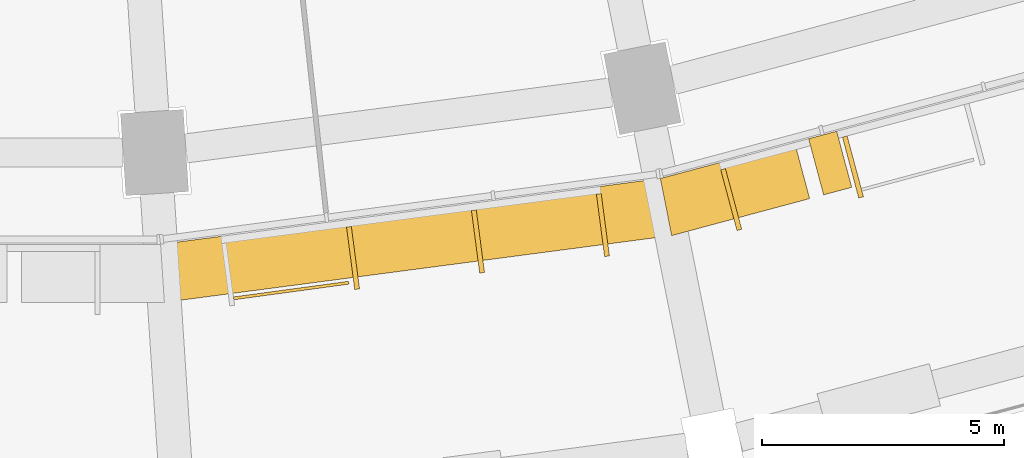
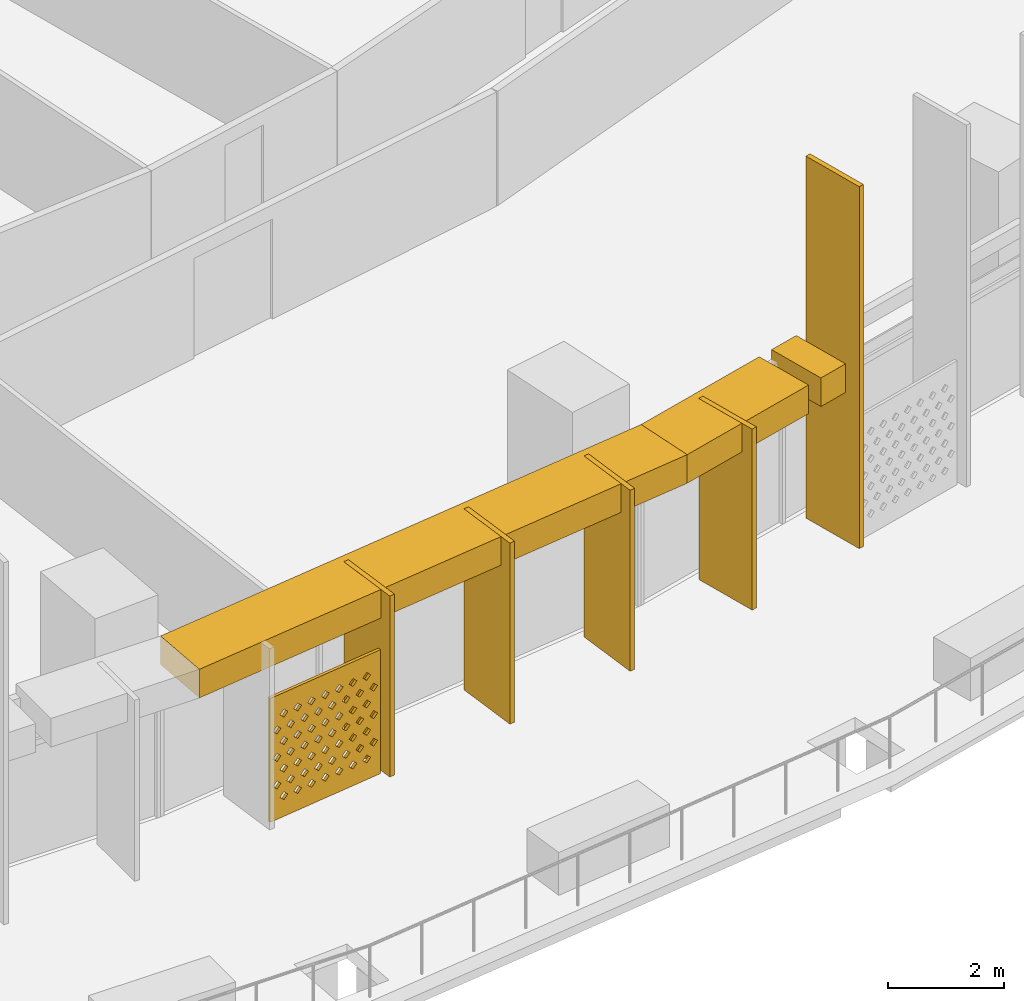
# One storey, part 30 of 35: 9 shading devices.
"""IFC4 building model written with IfcOpenShell, lengths in metres."""

import ifcopenshell
import ifcopenshell.guid

model = None  # the IFC model being written
_history = None  # IfcOwnerHistory: only IFC2X3 demands one
_inside = {}  # id of a spatial element -> (the spatial element, [elements in it])
_under = {}  # id of a project, library or spatial element -> (it, [spatial elements below it])
_declared = {}  # id of a project -> (the project, [libraries it declares])
_typed = {}  # id of a type object -> (the type object, [elements of that type])
_made_of = {}  # id of a material, layer set ... -> (it, [elements and type objects made of it])


def new_model(schema):
    """Start an empty IFC model of exactly this schema.

    Asked for "IFC4X3", IfcOpenShell would pick the latest addendum, in which some entities
    have other attributes; the version numbers below select the first issue.
    IFC2X3 requires an IfcOwnerHistory on every rooted entity: one is made here for all.
    """
    global model, _history
    if schema == "IFC4X3":
        model = ifcopenshell.file(schema_version=(4, 3, 0, 0))
    else:
        model = ifcopenshell.file(schema=schema)
    _inside.clear()
    _under.clear()
    _declared.clear()
    _typed.clear()
    _made_of.clear()
    _history = None
    if model.schema == "IFC2X3":
        org = make("IfcOrganization", Name="unknown")
        user = make(
            "IfcPersonAndOrganization",
            ThePerson=make("IfcPerson", FamilyName="unknown"),
            TheOrganization=org,
        )
        app = make(
            "IfcApplication",
            ApplicationDeveloper=org,
            Version="unknown",
            ApplicationFullName="unknown",
            ApplicationIdentifier="unknown",
        )
        _history = make(
            "IfcOwnerHistory",
            OwningUser=user,
            OwningApplication=app,
            ChangeAction="ADDED",
            CreationDate=0,
        )
    return model


def make(cls, **values):
    """One entity of the class cls with the attributes given. An attribute that is None is left unset."""
    return model.create_entity(
        cls, **{name: value for name, value in values.items() if value is not None}
    )


def rooted(cls, **values):
    """An entity with a GlobalId (a new one), such as an element, a storey or a relation."""
    return make(cls, GlobalId=ifcopenshell.guid.new(), OwnerHistory=_history, **values)


def si_unit(unit_type, name, prefix=None):
    """IfcSIUnit, for example si_unit("LENGTHUNIT", "METRE", prefix="MILLI")."""
    return make("IfcSIUnit", UnitType=unit_type, Prefix=prefix, Name=name)


def assignment(units):
    """IfcUnitAssignment: the units of a project."""
    return None if units is None else make("IfcUnitAssignment", Units=units)


def point(xyz):
    """IfcCartesianPoint."""
    return None if xyz is None else make("IfcCartesianPoint", Coordinates=xyz)


def direction(xyz):
    """IfcDirection."""
    return None if xyz is None else make("IfcDirection", DirectionRatios=xyz)


def frame(location, z_axis=None, x_axis=None):
    """IfcAxis2Placement3D, a coordinate frame: its origin and axes. An axis left out is left unset."""
    return make(
        "IfcAxis2Placement3D",
        Location=point(location),
        Axis=direction(z_axis),
        RefDirection=direction(x_axis),
    )


def frame_2d(location, x_axis=None):
    """IfcAxis2Placement2D, a coordinate frame in the plane: its origin and x axis."""
    return make(
        "IfcAxis2Placement2D", Location=point(location), RefDirection=direction(x_axis)
    )


def origin():
    """The frame at (0, 0, 0) with its axes left unset."""
    return frame((0.0, 0.0, 0.0))


def origin_2d():
    """The frame at (0, 0) in the plane with its x axis left unset."""
    return frame_2d((0.0, 0.0))


def place(relative_to, where):
    """IfcLocalPlacement: puts the frame where relative to a parent placement (None: the world)."""
    return make(
        "IfcLocalPlacement", PlacementRelTo=relative_to, RelativePlacement=where
    )


def context(
    kind, dimensions, precision=None, world=None, true_north=None, identifier=None
):
    """IfcGeometricRepresentationContext, for example the 3D "Model" context."""
    return make(
        "IfcGeometricRepresentationContext",
        ContextIdentifier=identifier,
        ContextType=kind,
        CoordinateSpaceDimension=dimensions,
        Precision=precision,
        WorldCoordinateSystem=world,
        TrueNorth=true_north,
    )


def subcontext(parent, identifier, kind, view, scale=None):
    """IfcGeometricRepresentationSubContext, for example "Body" below "Model"."""
    return make(
        "IfcGeometricRepresentationSubContext",
        ContextIdentifier=identifier,
        ContextType=kind,
        ParentContext=parent,
        TargetScale=scale,
        TargetView=view,
    )


def project(units=None, contexts=None):
    """IfcProject with its units and contexts."""
    return rooted(
        "IfcProject",
        Name="project",
        RepresentationContexts=contexts,
        UnitsInContext=assignment(units),
    )


def spatial(cls, under=None, at=None, **own):
    """A site, building, storey or space (cls), placed at a placement, below another one or the project."""
    s = rooted(cls, ObjectPlacement=at, **own)
    if under is not None:
        _under.setdefault(under.id(), (under, []))[1].append(s)
    return s


def polyline(points):
    """IfcPolyline through the points."""
    return make("IfcPolyline", Points=[point(p) for p in points])


def profile(cls, at=None, kind="AREA", **sizes):
    """A parametric profile (cls). Its sizes go by their IFC names, for example OverallWidth=200.0."""
    return make(cls, ProfileType=kind, Position=at, **sizes)


def rectangle(**sizes):
    """IfcRectangleProfileDef."""
    return profile("IfcRectangleProfileDef", **sizes)


def outline(outer, holes=None, kind="AREA"):
    """IfcArbitraryClosedProfileDef: a profile drawn as a closed curve; with holes, ...WithVoids."""
    if holes is None:
        return make("IfcArbitraryClosedProfileDef", ProfileType=kind, OuterCurve=outer)
    return make(
        "IfcArbitraryProfileDefWithVoids",
        ProfileType=kind,
        OuterCurve=outer,
        InnerCurves=holes,
    )


def extrude(swept, where, along, depth):
    """IfcExtrudedAreaSolid: the profile swept, set in the frame where, extruded along a direction by depth."""
    return make(
        "IfcExtrudedAreaSolid",
        SweptArea=swept,
        Position=where,
        ExtrudedDirection=direction(along),
        Depth=depth,
    )


def shape(context_of_items, identifier, shape_type, items):
    """IfcShapeRepresentation: the items that make up one representation, for example the "Body"."""
    return make(
        "IfcShapeRepresentation",
        ContextOfItems=context_of_items,
        RepresentationIdentifier=identifier,
        RepresentationType=shape_type,
        Items=items,
    )


def material(Name=None, Category=None):
    """IfcMaterial."""
    return make("IfcMaterial", Name=Name, Category=Category)


def material_profile(
    of_material, cross_section, Name=None, Category=None, Priority=None
):
    """IfcMaterialProfile: a cross section and its material."""
    return make(
        "IfcMaterialProfile",
        Name=Name,
        Material=of_material,
        Profile=cross_section,
        Priority=Priority,
        Category=Category,
    )


def profile_set(profiles, Name=None, composite=None):
    """IfcMaterialProfileSet."""
    return make(
        "IfcMaterialProfileSet",
        Name=Name,
        MaterialProfiles=profiles,
        CompositeProfile=composite,
    )


def made_of(thing, what):
    """Note that an element or type object is made of a material, layer set ...; save() writes the relation."""
    if what is not None:
        _made_of.setdefault(what.id(), (what, []))[1].append(thing)
    return thing


def type_object(cls, material=None, **own):
    """A type object (cls), such as IfcWallType, which elements share."""
    return made_of(rooted(cls, **own), material)


def element(
    cls,
    number,
    at=None,
    inside=None,
    cuts=None,
    type_object=None,
    material=None,
    context=None,
    identifier="Body",
    shape_type=None,
    held_by="IfcProductDefinitionShape",
    body=None,
    shapes=None,
    **own,
):
    """One element of the class cls, such as IfcWall. Its Tag is "e" and its number.

    at: its placement. inside: the storey or other place that contains it. cuts: it is an
    opening in that element (IfcRelVoidsElement). A single representation is given by context,
    identifier, shape_type and body (its items); several are given by shapes. held_by: the class
    of the entity that holds the representations. save() writes the other relations.
    """
    e = rooted(cls, Tag="e%d" % number, ObjectPlacement=at, **own)
    if body is not None:
        shapes = [shape(context, identifier, shape_type, body)]
    if shapes is not None:
        e.Representation = make(held_by, Representations=shapes)
    if inside is not None:
        _inside.setdefault(inside.id(), (inside, []))[1].append(e)
    if cuts is not None:
        rooted(
            "IfcRelVoidsElement", RelatingBuildingElement=cuts, RelatedOpeningElement=e
        )
    if type_object is not None:
        _typed.setdefault(type_object.id(), (type_object, []))[1].append(e)
    return made_of(e, material)


def aggregate(whole, parts):
    """IfcRelAggregates: a whole, such as a stair, and the parts it consists of."""
    return rooted("IfcRelAggregates", RelatingObject=whole, RelatedObjects=parts)


def save(model, path):
    """Write the relations noted so far, then the file.

    IfcRelAggregates (storeys below a building ...), IfcRelContainedInSpatialStructure (elements
    in a storey), IfcRelDefinesByType, IfcRelAssociatesMaterial and IfcRelDeclares: one each for
    every whole, place, type object, material and project.
    """
    for whole, parts in _under.values():
        aggregate(whole, parts)
    for where, things in _inside.values():
        rooted(
            "IfcRelContainedInSpatialStructure",
            RelatedElements=things,
            RelatingStructure=where,
        )
    for kind, things in _typed.values():
        rooted("IfcRelDefinesByType", RelatedObjects=things, RelatingType=kind)
    for what, things in _made_of.values():
        rooted("IfcRelAssociatesMaterial", RelatedObjects=things, RelatingMaterial=what)
    for by, libraries in _declared.values():
        rooted("IfcRelDeclares", RelatingContext=by, RelatedDefinitions=libraries)
    model.write(path)


model = new_model("IFC4")

# Units and contexts
model_context = context("Model", 3, precision=1e-05, world=origin(), true_north=direction((0.0, 1.0)))
body_context = subcontext(model_context, "Body", "Model", "MODEL_VIEW")
ifc_project = project(units=[si_unit("LENGTHUNIT", "METRE"), si_unit("AREAUNIT", "SQUARE_METRE"), si_unit("VOLUMEUNIT", "CUBIC_METRE"), si_unit("PLANEANGLEUNIT", "RADIAN"), si_unit("MASSUNIT", "GRAM", prefix="KILO")], contexts=[model_context])

# Site, building, storey
site_placement = place(None, origin())
site = spatial("IfcSite", under=ifc_project, at=site_placement, CompositionType="ELEMENT")
building_placement = place(site_placement, origin())
building = spatial("IfcBuilding", under=site, at=building_placement, Name="Qamariyya Broadcast Tower", CompositionType="ELEMENT")
storey_placement = place(building_placement, frame((0.0, 0.0, 40.5)))
storey = spatial("IfcBuildingStorey", under=building, at=storey_placement, Name="L06", CompositionType="ELEMENT", Elevation=40.5)

# Shading devices
ifc_material_1 = material(Name="Steel S355 powder coated deep red", Category="steel")
shading_device_type_1 = type_object("IfcShadingDeviceType", Name="Deep red frame, powder coated steel box section", PredefinedType="USERDEFINED", material=ifc_material_1)
shading_device_1_placement = place(storey_placement, frame((0.0, 0.0, 3.199951171875)))
element("IfcShadingDevice", 1, at=shading_device_1_placement, inside=storey, type_object=shading_device_type_1, Name="e-frm-B1-F4-postb-L06", ObjectType="FRAME", PredefinedType="USERDEFINED", context=body_context, shape_type="SweptSolid", body=[
    extrude(outline(polyline([(18.603759765625, -77.29833984375), (18.914306640625, -78.45751953125), (19.493896484375, -78.30224609375), (19.183349609375, -77.14306640625), (18.603759765625, -77.29833984375)])), origin(), (0.0, 0.0, 1.0), 0.60009765625),
])
shading_device_2_placement = place(storey_placement, frame((0.0, 0.0, 3.199951171875)))
element("IfcShadingDevice", 2, at=shading_device_2_placement, inside=storey, type_object=shading_device_type_1, Name="e-frm-B1-F4-bot1", ObjectType="FRAME", PredefinedType="USERDEFINED", context=body_context, shape_type="SweptSolid", body=[
    extrude(outline(polyline([(5.20947265625, -79.4794921875), (5.2880859375, -80.679443359375), (15.7734375, -79.299072265625), (15.5390625, -78.11962890625), (5.20947265625, -79.4794921875)])), origin(), (0.0, 0.0, 1.0), 0.60009765625),
])
shading_device_3_placement = place(storey_placement, frame((0.0, 0.0, 3.199951171875)))
element("IfcShadingDevice", 3, at=shading_device_3_placement, inside=storey, type_object=shading_device_type_1, Name="e-frm-B1-F4-bot2", ObjectType="FRAME", PredefinedType="USERDEFINED", context=body_context, shape_type="SweptSolid", body=[
    extrude(outline(polyline([(15.5390625, -78.11962890625), (15.7734375, -79.299072265625), (18.62451171875, -78.53515625), (18.31396484375, -77.3759765625), (15.5390625, -78.11962890625)])), origin(), (0.0, 0.0, 1.0), 0.60009765625),
])
ifc_material_2 = material(Name="Perforated glazed terracotta", Category="masonry")
ifc_material_profile_1 = material_profile(ifc_material_2, outline(polyline([(-1.199951171875, -1.300048828125), (1.199951171875, -1.300048828125), (1.199951171875, 1.300048828125), (-1.199951171875, 1.300048828125), (-1.199951171875, -1.300048828125)]), holes=[polyline([(-0.81494140625, -0.86669921875), (-0.89990234375, -0.78173828125), (-0.985107421875, -0.86669921875), (-0.89990234375, -0.95166015625), (-0.81494140625, -0.86669921875)]), polyline([(-0.514892578125, -0.86669921875), (-0.60009765625, -0.78173828125), (-0.68505859375, -0.86669921875), (-0.60009765625, -0.95166015625), (-0.514892578125, -0.86669921875)]), polyline([(-0.215087890625, -0.86669921875), (-0.300048828125, -0.78173828125), (-0.385009765625, -0.86669921875), (-0.300048828125, -0.95166015625), (-0.215087890625, -0.86669921875)]), polyline([(0.0849609375, -0.86669921875), (0.0, -0.78173828125), (-0.0849609375, -0.86669921875), (0.0, -0.95166015625), (0.0849609375, -0.86669921875)]), polyline([(0.385009765625, -0.86669921875), (0.300048828125, -0.78173828125), (0.215087890625, -0.86669921875), (0.300048828125, -0.95166015625), (0.385009765625, -0.86669921875)]), polyline([(0.68505859375, -0.86669921875), (0.60009765625, -0.78173828125), (0.514892578125, -0.86669921875), (0.60009765625, -0.95166015625), (0.68505859375, -0.86669921875)]), polyline([(0.985107421875, -0.86669921875), (0.89990234375, -0.78173828125), (0.81494140625, -0.86669921875), (0.89990234375, -0.95166015625), (0.985107421875, -0.86669921875)]), polyline([(-0.965087890625, -0.577880859375), (-1.050048828125, -0.49267578125), (-1.135009765625, -0.577880859375), (-1.050048828125, -0.662841796875), (-0.965087890625, -0.577880859375)]), polyline([(-0.6650390625, -0.577880859375), (-0.75, -0.49267578125), (-0.8349609375, -0.577880859375), (-0.75, -0.662841796875), (-0.6650390625, -0.577880859375)]), polyline([(-0.364990234375, -0.577880859375), (-0.449951171875, -0.49267578125), (-0.534912109375, -0.577880859375), (-0.449951171875, -0.662841796875), (-0.364990234375, -0.577880859375)]), polyline([(-0.06494140625, -0.577880859375), (-0.14990234375, -0.49267578125), (-0.235107421875, -0.577880859375), (-0.14990234375, -0.662841796875), (-0.06494140625, -0.577880859375)]), polyline([(0.235107421875, -0.577880859375), (0.14990234375, -0.49267578125), (0.06494140625, -0.577880859375), (0.14990234375, -0.662841796875), (0.235107421875, -0.577880859375)]), polyline([(0.534912109375, -0.577880859375), (0.449951171875, -0.49267578125), (0.364990234375, -0.577880859375), (0.449951171875, -0.662841796875), (0.534912109375, -0.577880859375)]), polyline([(0.8349609375, -0.577880859375), (0.75, -0.49267578125), (0.6650390625, -0.577880859375), (0.75, -0.662841796875), (0.8349609375, -0.577880859375)]), polyline([(1.135009765625, -0.577880859375), (1.050048828125, -0.49267578125), (0.965087890625, -0.577880859375), (1.050048828125, -0.662841796875), (1.135009765625, -0.577880859375)]), polyline([(-0.81494140625, -0.288818359375), (-0.89990234375, -0.203857421875), (-0.985107421875, -0.288818359375), (-0.89990234375, -0.373779296875), (-0.81494140625, -0.288818359375)]), polyline([(-0.514892578125, -0.288818359375), (-0.60009765625, -0.203857421875), (-0.68505859375, -0.288818359375), (-0.60009765625, -0.373779296875), (-0.514892578125, -0.288818359375)]), polyline([(-0.215087890625, -0.288818359375), (-0.300048828125, -0.203857421875), (-0.385009765625, -0.288818359375), (-0.300048828125, -0.373779296875), (-0.215087890625, -0.288818359375)]), polyline([(0.0849609375, -0.288818359375), (0.0, -0.203857421875), (-0.0849609375, -0.288818359375), (0.0, -0.373779296875), (0.0849609375, -0.288818359375)]), polyline([(0.385009765625, -0.288818359375), (0.300048828125, -0.203857421875), (0.215087890625, -0.288818359375), (0.300048828125, -0.373779296875), (0.385009765625, -0.288818359375)]), polyline([(0.68505859375, -0.288818359375), (0.60009765625, -0.203857421875), (0.514892578125, -0.288818359375), (0.60009765625, -0.373779296875), (0.68505859375, -0.288818359375)]), polyline([(0.985107421875, -0.288818359375), (0.89990234375, -0.203857421875), (0.81494140625, -0.288818359375), (0.89990234375, -0.373779296875), (0.985107421875, -0.288818359375)]), polyline([(-0.965087890625, 0.0), (-1.050048828125, 0.0849609375), (-1.135009765625, 0.0), (-1.050048828125, -0.0849609375), (-0.965087890625, 0.0)]), polyline([(-0.6650390625, 0.0), (-0.75, 0.0849609375), (-0.8349609375, 0.0), (-0.75, -0.0849609375), (-0.6650390625, 0.0)]), polyline([(-0.364990234375, 0.0), (-0.449951171875, 0.0849609375), (-0.534912109375, 0.0), (-0.449951171875, -0.0849609375), (-0.364990234375, 0.0)]), polyline([(-0.06494140625, 0.0), (-0.14990234375, 0.0849609375), (-0.235107421875, 0.0), (-0.14990234375, -0.0849609375), (-0.06494140625, 0.0)]), polyline([(0.235107421875, 0.0), (0.14990234375, 0.0849609375), (0.06494140625, 0.0), (0.14990234375, -0.0849609375), (0.235107421875, 0.0)]), polyline([(0.534912109375, 0.0), (0.449951171875, 0.0849609375), (0.364990234375, 0.0), (0.449951171875, -0.0849609375), (0.534912109375, 0.0)]), polyline([(0.8349609375, 0.0), (0.75, 0.0849609375), (0.6650390625, 0.0), (0.75, -0.0849609375), (0.8349609375, 0.0)]), polyline([(1.135009765625, 0.0), (1.050048828125, 0.0849609375), (0.965087890625, 0.0), (1.050048828125, -0.0849609375), (1.135009765625, 0.0)]), polyline([(-0.81494140625, 0.288818359375), (-0.89990234375, 0.373779296875), (-0.985107421875, 0.288818359375), (-0.89990234375, 0.203857421875), (-0.81494140625, 0.288818359375)]), polyline([(-0.514892578125, 0.288818359375), (-0.60009765625, 0.373779296875), (-0.68505859375, 0.288818359375), (-0.60009765625, 0.203857421875), (-0.514892578125, 0.288818359375)]), polyline([(-0.215087890625, 0.288818359375), (-0.300048828125, 0.373779296875), (-0.385009765625, 0.288818359375), (-0.300048828125, 0.203857421875), (-0.215087890625, 0.288818359375)]), polyline([(0.0849609375, 0.288818359375), (0.0, 0.373779296875), (-0.0849609375, 0.288818359375), (0.0, 0.203857421875), (0.0849609375, 0.288818359375)]), polyline([(0.385009765625, 0.288818359375), (0.300048828125, 0.373779296875), (0.215087890625, 0.288818359375), (0.300048828125, 0.203857421875), (0.385009765625, 0.288818359375)]), polyline([(0.68505859375, 0.288818359375), (0.60009765625, 0.373779296875), (0.514892578125, 0.288818359375), (0.60009765625, 0.203857421875), (0.68505859375, 0.288818359375)]), polyline([(0.985107421875, 0.288818359375), (0.89990234375, 0.373779296875), (0.81494140625, 0.288818359375), (0.89990234375, 0.203857421875), (0.985107421875, 0.288818359375)]), polyline([(-0.965087890625, 0.577880859375), (-1.050048828125, 0.662841796875), (-1.135009765625, 0.577880859375), (-1.050048828125, 0.49267578125), (-0.965087890625, 0.577880859375)]), polyline([(-0.6650390625, 0.577880859375), (-0.75, 0.662841796875), (-0.8349609375, 0.577880859375), (-0.75, 0.49267578125), (-0.6650390625, 0.577880859375)]), polyline([(-0.364990234375, 0.577880859375), (-0.449951171875, 0.662841796875), (-0.534912109375, 0.577880859375), (-0.449951171875, 0.49267578125), (-0.364990234375, 0.577880859375)]), polyline([(-0.06494140625, 0.577880859375), (-0.14990234375, 0.662841796875), (-0.235107421875, 0.577880859375), (-0.14990234375, 0.49267578125), (-0.06494140625, 0.577880859375)]), polyline([(0.235107421875, 0.577880859375), (0.14990234375, 0.662841796875), (0.06494140625, 0.577880859375), (0.14990234375, 0.49267578125), (0.235107421875, 0.577880859375)]), polyline([(0.534912109375, 0.577880859375), (0.449951171875, 0.662841796875), (0.364990234375, 0.577880859375), (0.449951171875, 0.49267578125), (0.534912109375, 0.577880859375)]), polyline([(0.8349609375, 0.577880859375), (0.75, 0.662841796875), (0.6650390625, 0.577880859375), (0.75, 0.49267578125), (0.8349609375, 0.577880859375)]), polyline([(1.135009765625, 0.577880859375), (1.050048828125, 0.662841796875), (0.965087890625, 0.577880859375), (1.050048828125, 0.49267578125), (1.135009765625, 0.577880859375)]), polyline([(-0.81494140625, 0.86669921875), (-0.89990234375, 0.95166015625), (-0.985107421875, 0.86669921875), (-0.89990234375, 0.78173828125), (-0.81494140625, 0.86669921875)]), polyline([(-0.514892578125, 0.86669921875), (-0.60009765625, 0.95166015625), (-0.68505859375, 0.86669921875), (-0.60009765625, 0.78173828125), (-0.514892578125, 0.86669921875)]), polyline([(-0.215087890625, 0.86669921875), (-0.300048828125, 0.95166015625), (-0.385009765625, 0.86669921875), (-0.300048828125, 0.78173828125), (-0.215087890625, 0.86669921875)]), polyline([(0.0849609375, 0.86669921875), (0.0, 0.95166015625), (-0.0849609375, 0.86669921875), (0.0, 0.78173828125), (0.0849609375, 0.86669921875)]), polyline([(0.385009765625, 0.86669921875), (0.300048828125, 0.95166015625), (0.215087890625, 0.86669921875), (0.300048828125, 0.78173828125), (0.385009765625, 0.86669921875)]), polyline([(0.68505859375, 0.86669921875), (0.60009765625, 0.95166015625), (0.514892578125, 0.86669921875), (0.60009765625, 0.78173828125), (0.68505859375, 0.86669921875)]), polyline([(0.985107421875, 0.86669921875), (0.89990234375, 0.95166015625), (0.81494140625, 0.86669921875), (0.89990234375, 0.78173828125), (0.985107421875, 0.86669921875)])]))
ifc_profile_set_1 = profile_set([ifc_material_profile_1], Name="Perforated glazed terracotta")
shading_device_type_2 = type_object("IfcShadingDeviceType", Name="Perforated terracotta screen 2400 x 2600", PredefinedType="USERDEFINED", material=ifc_profile_set_1)
shading_device_4_placement = place(storey_placement, frame((7.905517578125, -80.405517578125, 1.35009765625), z_axis=(0.13456727237, -0.990904460181, 0.0), x_axis=(0.990904460181, 0.13456727237, 0.0)))
element("IfcShadingDevice", 4, at=shading_device_4_placement, inside=storey, type_object=shading_device_type_2, Name="e-scr-L06-09-0", ObjectType="SCREEN", PredefinedType="USERDEFINED", context=body_context, shape_type="SweptSolid", body=[
    extrude(outline(polyline([(-1.199951171875, -1.300048828125), (1.199951171875, -1.300048828125), (1.199951171875, 1.300048828125), (-1.199951171875, 1.300048828125), (-1.199951171875, -1.300048828125)]), holes=[polyline([(-0.81494140625, -0.86669921875), (-0.89990234375, -0.78173828125), (-0.985107421875, -0.86669921875), (-0.89990234375, -0.95166015625), (-0.81494140625, -0.86669921875)]), polyline([(-0.514892578125, -0.86669921875), (-0.60009765625, -0.78173828125), (-0.68505859375, -0.86669921875), (-0.60009765625, -0.95166015625), (-0.514892578125, -0.86669921875)]), polyline([(-0.215087890625, -0.86669921875), (-0.300048828125, -0.78173828125), (-0.385009765625, -0.86669921875), (-0.300048828125, -0.95166015625), (-0.215087890625, -0.86669921875)]), polyline([(0.0849609375, -0.86669921875), (0.0, -0.78173828125), (-0.0849609375, -0.86669921875), (0.0, -0.95166015625), (0.0849609375, -0.86669921875)]), polyline([(0.385009765625, -0.86669921875), (0.300048828125, -0.78173828125), (0.215087890625, -0.86669921875), (0.300048828125, -0.95166015625), (0.385009765625, -0.86669921875)]), polyline([(0.68505859375, -0.86669921875), (0.60009765625, -0.78173828125), (0.514892578125, -0.86669921875), (0.60009765625, -0.95166015625), (0.68505859375, -0.86669921875)]), polyline([(0.985107421875, -0.86669921875), (0.89990234375, -0.78173828125), (0.81494140625, -0.86669921875), (0.89990234375, -0.95166015625), (0.985107421875, -0.86669921875)]), polyline([(-0.965087890625, -0.577880859375), (-1.050048828125, -0.49267578125), (-1.135009765625, -0.577880859375), (-1.050048828125, -0.662841796875), (-0.965087890625, -0.577880859375)]), polyline([(-0.6650390625, -0.577880859375), (-0.75, -0.49267578125), (-0.8349609375, -0.577880859375), (-0.75, -0.662841796875), (-0.6650390625, -0.577880859375)]), polyline([(-0.364990234375, -0.577880859375), (-0.449951171875, -0.49267578125), (-0.534912109375, -0.577880859375), (-0.449951171875, -0.662841796875), (-0.364990234375, -0.577880859375)]), polyline([(-0.06494140625, -0.577880859375), (-0.14990234375, -0.49267578125), (-0.235107421875, -0.577880859375), (-0.14990234375, -0.662841796875), (-0.06494140625, -0.577880859375)]), polyline([(0.235107421875, -0.577880859375), (0.14990234375, -0.49267578125), (0.06494140625, -0.577880859375), (0.14990234375, -0.662841796875), (0.235107421875, -0.577880859375)]), polyline([(0.534912109375, -0.577880859375), (0.449951171875, -0.49267578125), (0.364990234375, -0.577880859375), (0.449951171875, -0.662841796875), (0.534912109375, -0.577880859375)]), polyline([(0.8349609375, -0.577880859375), (0.75, -0.49267578125), (0.6650390625, -0.577880859375), (0.75, -0.662841796875), (0.8349609375, -0.577880859375)]), polyline([(1.135009765625, -0.577880859375), (1.050048828125, -0.49267578125), (0.965087890625, -0.577880859375), (1.050048828125, -0.662841796875), (1.135009765625, -0.577880859375)]), polyline([(-0.81494140625, -0.288818359375), (-0.89990234375, -0.203857421875), (-0.985107421875, -0.288818359375), (-0.89990234375, -0.373779296875), (-0.81494140625, -0.288818359375)]), polyline([(-0.514892578125, -0.288818359375), (-0.60009765625, -0.203857421875), (-0.68505859375, -0.288818359375), (-0.60009765625, -0.373779296875), (-0.514892578125, -0.288818359375)]), polyline([(-0.215087890625, -0.288818359375), (-0.300048828125, -0.203857421875), (-0.385009765625, -0.288818359375), (-0.300048828125, -0.373779296875), (-0.215087890625, -0.288818359375)]), polyline([(0.0849609375, -0.288818359375), (0.0, -0.203857421875), (-0.0849609375, -0.288818359375), (0.0, -0.373779296875), (0.0849609375, -0.288818359375)]), polyline([(0.385009765625, -0.288818359375), (0.300048828125, -0.203857421875), (0.215087890625, -0.288818359375), (0.300048828125, -0.373779296875), (0.385009765625, -0.288818359375)]), polyline([(0.68505859375, -0.288818359375), (0.60009765625, -0.203857421875), (0.514892578125, -0.288818359375), (0.60009765625, -0.373779296875), (0.68505859375, -0.288818359375)]), polyline([(0.985107421875, -0.288818359375), (0.89990234375, -0.203857421875), (0.81494140625, -0.288818359375), (0.89990234375, -0.373779296875), (0.985107421875, -0.288818359375)]), polyline([(-0.965087890625, 0.0), (-1.050048828125, 0.0849609375), (-1.135009765625, 0.0), (-1.050048828125, -0.0849609375), (-0.965087890625, 0.0)]), polyline([(-0.6650390625, 0.0), (-0.75, 0.0849609375), (-0.8349609375, 0.0), (-0.75, -0.0849609375), (-0.6650390625, 0.0)]), polyline([(-0.364990234375, 0.0), (-0.449951171875, 0.0849609375), (-0.534912109375, 0.0), (-0.449951171875, -0.0849609375), (-0.364990234375, 0.0)]), polyline([(-0.06494140625, 0.0), (-0.14990234375, 0.0849609375), (-0.235107421875, 0.0), (-0.14990234375, -0.0849609375), (-0.06494140625, 0.0)]), polyline([(0.235107421875, 0.0), (0.14990234375, 0.0849609375), (0.06494140625, 0.0), (0.14990234375, -0.0849609375), (0.235107421875, 0.0)]), polyline([(0.534912109375, 0.0), (0.449951171875, 0.0849609375), (0.364990234375, 0.0), (0.449951171875, -0.0849609375), (0.534912109375, 0.0)]), polyline([(0.8349609375, 0.0), (0.75, 0.0849609375), (0.6650390625, 0.0), (0.75, -0.0849609375), (0.8349609375, 0.0)]), polyline([(1.135009765625, 0.0), (1.050048828125, 0.0849609375), (0.965087890625, 0.0), (1.050048828125, -0.0849609375), (1.135009765625, 0.0)]), polyline([(-0.81494140625, 0.288818359375), (-0.89990234375, 0.373779296875), (-0.985107421875, 0.288818359375), (-0.89990234375, 0.203857421875), (-0.81494140625, 0.288818359375)]), polyline([(-0.514892578125, 0.288818359375), (-0.60009765625, 0.373779296875), (-0.68505859375, 0.288818359375), (-0.60009765625, 0.203857421875), (-0.514892578125, 0.288818359375)]), polyline([(-0.215087890625, 0.288818359375), (-0.300048828125, 0.373779296875), (-0.385009765625, 0.288818359375), (-0.300048828125, 0.203857421875), (-0.215087890625, 0.288818359375)]), polyline([(0.0849609375, 0.288818359375), (0.0, 0.373779296875), (-0.0849609375, 0.288818359375), (0.0, 0.203857421875), (0.0849609375, 0.288818359375)]), polyline([(0.385009765625, 0.288818359375), (0.300048828125, 0.373779296875), (0.215087890625, 0.288818359375), (0.300048828125, 0.203857421875), (0.385009765625, 0.288818359375)]), polyline([(0.68505859375, 0.288818359375), (0.60009765625, 0.373779296875), (0.514892578125, 0.288818359375), (0.60009765625, 0.203857421875), (0.68505859375, 0.288818359375)]), polyline([(0.985107421875, 0.288818359375), (0.89990234375, 0.373779296875), (0.81494140625, 0.288818359375), (0.89990234375, 0.203857421875), (0.985107421875, 0.288818359375)]), polyline([(-0.965087890625, 0.577880859375), (-1.050048828125, 0.662841796875), (-1.135009765625, 0.577880859375), (-1.050048828125, 0.49267578125), (-0.965087890625, 0.577880859375)]), polyline([(-0.6650390625, 0.577880859375), (-0.75, 0.662841796875), (-0.8349609375, 0.577880859375), (-0.75, 0.49267578125), (-0.6650390625, 0.577880859375)]), polyline([(-0.364990234375, 0.577880859375), (-0.449951171875, 0.662841796875), (-0.534912109375, 0.577880859375), (-0.449951171875, 0.49267578125), (-0.364990234375, 0.577880859375)]), polyline([(-0.06494140625, 0.577880859375), (-0.14990234375, 0.662841796875), (-0.235107421875, 0.577880859375), (-0.14990234375, 0.49267578125), (-0.06494140625, 0.577880859375)]), polyline([(0.235107421875, 0.577880859375), (0.14990234375, 0.662841796875), (0.06494140625, 0.577880859375), (0.14990234375, 0.49267578125), (0.235107421875, 0.577880859375)]), polyline([(0.534912109375, 0.577880859375), (0.449951171875, 0.662841796875), (0.364990234375, 0.577880859375), (0.449951171875, 0.49267578125), (0.534912109375, 0.577880859375)]), polyline([(0.8349609375, 0.577880859375), (0.75, 0.662841796875), (0.6650390625, 0.577880859375), (0.75, 0.49267578125), (0.8349609375, 0.577880859375)]), polyline([(1.135009765625, 0.577880859375), (1.050048828125, 0.662841796875), (0.965087890625, 0.577880859375), (1.050048828125, 0.49267578125), (1.135009765625, 0.577880859375)]), polyline([(-0.81494140625, 0.86669921875), (-0.89990234375, 0.95166015625), (-0.985107421875, 0.86669921875), (-0.89990234375, 0.78173828125), (-0.81494140625, 0.86669921875)]), polyline([(-0.514892578125, 0.86669921875), (-0.60009765625, 0.95166015625), (-0.68505859375, 0.86669921875), (-0.60009765625, 0.78173828125), (-0.514892578125, 0.86669921875)]), polyline([(-0.215087890625, 0.86669921875), (-0.300048828125, 0.95166015625), (-0.385009765625, 0.86669921875), (-0.300048828125, 0.78173828125), (-0.215087890625, 0.86669921875)]), polyline([(0.0849609375, 0.86669921875), (0.0, 0.95166015625), (-0.0849609375, 0.86669921875), (0.0, 0.78173828125), (0.0849609375, 0.86669921875)]), polyline([(0.385009765625, 0.86669921875), (0.300048828125, 0.95166015625), (0.215087890625, 0.86669921875), (0.300048828125, 0.78173828125), (0.385009765625, 0.86669921875)]), polyline([(0.68505859375, 0.86669921875), (0.60009765625, 0.95166015625), (0.514892578125, 0.86669921875), (0.60009765625, 0.78173828125), (0.68505859375, 0.86669921875)]), polyline([(0.985107421875, 0.86669921875), (0.89990234375, 0.95166015625), (0.81494140625, 0.86669921875), (0.89990234375, 0.78173828125), (0.985107421875, 0.86669921875)])]), origin(), (0.0, 0.0, 1.0), 0.059814453125),
])
ifc_material_3 = material(Name="Glazed terracotta", Category="masonry")
ifc_material_profile_2 = material_profile(ifc_material_3, rectangle(XDim=1.300048828125, YDim=0.10009765625, at=origin_2d()))
ifc_profile_set_2 = profile_set([ifc_material_profile_2], Name="Glazed terracotta")
shading_device_type_3 = type_object("IfcShadingDeviceType", Name="Terracotta fin 100 x 1300", PredefinedType="USERDEFINED", material=ifc_profile_set_2)
for number, where, z_axis, x_axis, name in (
    (5, (9.187255859375, -79.7626953125, 0.0), (0.0, 0.0, 1.0), (0.13052619222, -0.991444861374, 0.0), "e-fin-L06-09-1"),
    (6, (11.769775390625, -79.422607421875, 0.0), (0.0, 0.0, 1.0), (0.13052619222, -0.991444861374, 0.0), "e-fin-L06-09-2"),
    (7, (14.35205078125, -79.082763671875, 0.0), (0.0, 0.0, 1.0), (0.13052619222, -0.991444861374, 0.0), "e-fin-L06-09-3"),
    (8, (17.00390625, -78.55517578125, 0.0), (0.0, 0.0, 1.0), (0.258819045103, -0.965925826289, 0.0), "e-fin-L06-10-0"),
):
    element("IfcShadingDevice", number, at=place(storey_placement, frame(where, z_axis=z_axis, x_axis=x_axis)), inside=storey, type_object=shading_device_type_3, Name=name, ObjectType="FIN", PredefinedType="USERDEFINED", context=body_context, shape_type="SweptSolid", body=[
        extrude(rectangle(XDim=1.300048828125, YDim=0.10009765625, at=origin_2d()), origin(), (0.0, 0.0, 1.0), 3.800048828125),
    ])
shading_device_5_placement = place(storey_placement, frame((19.519775390625, -77.881103515625, 0.0), z_axis=(0.0, 0.0, 1.0), x_axis=(0.258819045103, -0.965925826289, 0.0)))
element("IfcShadingDevice", 9, at=shading_device_5_placement, inside=storey, type_object=shading_device_type_3, Name="e-fin-L06-10-1", ObjectType="FIN", PredefinedType="USERDEFINED", context=body_context, shape_type="SweptSolid", body=[
    extrude(rectangle(XDim=1.300048828125, YDim=0.10009765625, at=origin_2d()), origin(), (0.0, 0.0, 1.0), 7.60009765625),
])

save(model, "model.ifc")
